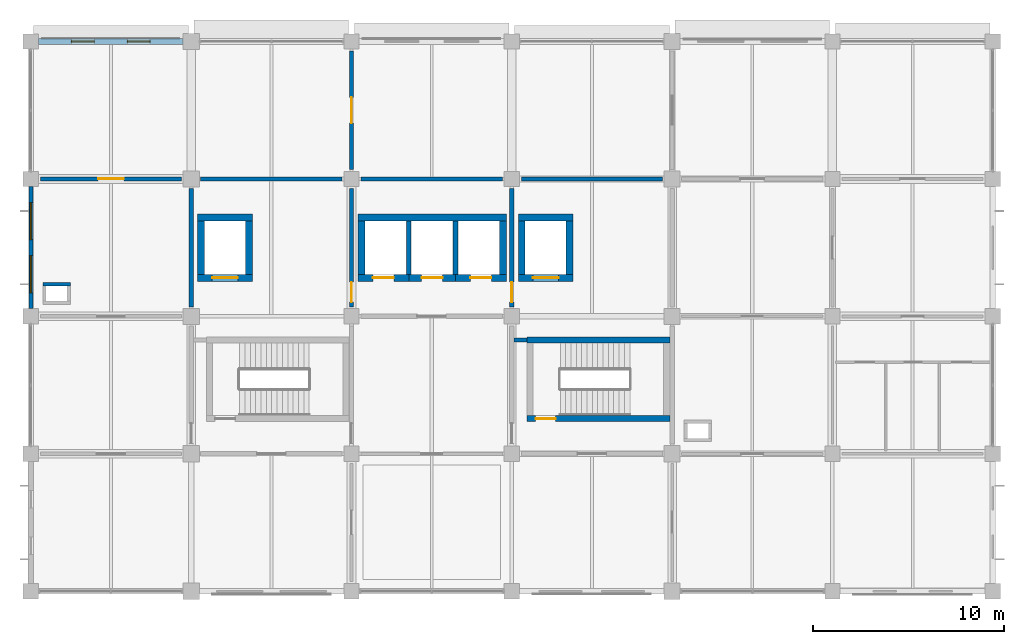
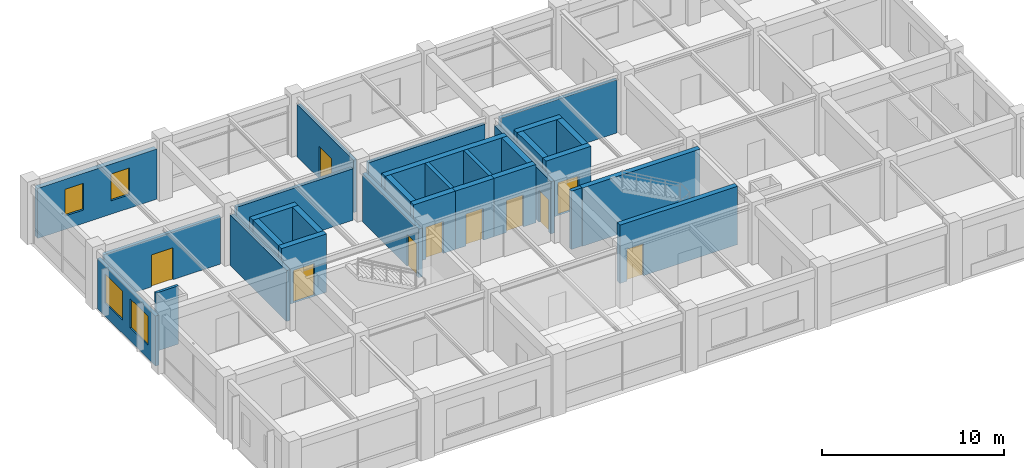
# One storey, part 9 of 13: 30 walls, 10 doors, 4 windows, 14 openings.
"""IFC4 building model written with IfcOpenShell, lengths in metres."""

import ifcopenshell
import ifcopenshell.guid

model = None  # the IFC model being written
_history = None  # IfcOwnerHistory: only IFC2X3 demands one
_inside = {}  # id of a spatial element -> (the spatial element, [elements in it])
_under = {}  # id of a project, library or spatial element -> (it, [spatial elements below it])
_declared = {}  # id of a project -> (the project, [libraries it declares])
_typed = {}  # id of a type object -> (the type object, [elements of that type])
_made_of = {}  # id of a material, layer set ... -> (it, [elements and type objects made of it])


def new_model(schema):
    """Start an empty IFC model of exactly this schema.

    Asked for "IFC4X3", IfcOpenShell would pick the latest addendum, in which some entities
    have other attributes; the version numbers below select the first issue.
    IFC2X3 requires an IfcOwnerHistory on every rooted entity: one is made here for all.
    """
    global model, _history
    if schema == "IFC4X3":
        model = ifcopenshell.file(schema_version=(4, 3, 0, 0))
    else:
        model = ifcopenshell.file(schema=schema)
    _inside.clear()
    _under.clear()
    _declared.clear()
    _typed.clear()
    _made_of.clear()
    _history = None
    if model.schema == "IFC2X3":
        org = make("IfcOrganization", Name="unknown")
        user = make(
            "IfcPersonAndOrganization",
            ThePerson=make("IfcPerson", FamilyName="unknown"),
            TheOrganization=org,
        )
        app = make(
            "IfcApplication",
            ApplicationDeveloper=org,
            Version="unknown",
            ApplicationFullName="unknown",
            ApplicationIdentifier="unknown",
        )
        _history = make(
            "IfcOwnerHistory",
            OwningUser=user,
            OwningApplication=app,
            ChangeAction="ADDED",
            CreationDate=0,
        )
    return model


def make(cls, **values):
    """One entity of the class cls with the attributes given. An attribute that is None is left unset."""
    return model.create_entity(
        cls, **{name: value for name, value in values.items() if value is not None}
    )


def rooted(cls, **values):
    """An entity with a GlobalId (a new one), such as an element, a storey or a relation."""
    return make(cls, GlobalId=ifcopenshell.guid.new(), OwnerHistory=_history, **values)


def si_unit(unit_type, name, prefix=None):
    """IfcSIUnit, for example si_unit("LENGTHUNIT", "METRE", prefix="MILLI")."""
    return make("IfcSIUnit", UnitType=unit_type, Prefix=prefix, Name=name)


def derived_unit(unit_type, elements):
    """IfcDerivedUnit: a product of units, each with its exponent."""
    return make(
        "IfcDerivedUnit",
        Elements=[
            make("IfcDerivedUnitElement", Unit=unit, Exponent=power)
            for unit, power in elements
        ],
        UnitType=unit_type,
    )


def assignment(units):
    """IfcUnitAssignment: the units of a project."""
    return None if units is None else make("IfcUnitAssignment", Units=units)


def point(xyz):
    """IfcCartesianPoint."""
    return None if xyz is None else make("IfcCartesianPoint", Coordinates=xyz)


def direction(xyz):
    """IfcDirection."""
    return None if xyz is None else make("IfcDirection", DirectionRatios=xyz)


def frame(location, z_axis=None, x_axis=None):
    """IfcAxis2Placement3D, a coordinate frame: its origin and axes. An axis left out is left unset."""
    return make(
        "IfcAxis2Placement3D",
        Location=point(location),
        Axis=direction(z_axis),
        RefDirection=direction(x_axis),
    )


def frame_2d(location, x_axis=None):
    """IfcAxis2Placement2D, a coordinate frame in the plane: its origin and x axis."""
    return make(
        "IfcAxis2Placement2D", Location=point(location), RefDirection=direction(x_axis)
    )


def origin():
    """The frame at (0, 0, 0) with its axes left unset."""
    return frame((0.0, 0.0, 0.0))


def place(relative_to, where):
    """IfcLocalPlacement: puts the frame where relative to a parent placement (None: the world)."""
    return make(
        "IfcLocalPlacement", PlacementRelTo=relative_to, RelativePlacement=where
    )


def context(
    kind, dimensions, precision=None, world=None, true_north=None, identifier=None
):
    """IfcGeometricRepresentationContext, for example the 3D "Model" context."""
    return make(
        "IfcGeometricRepresentationContext",
        ContextIdentifier=identifier,
        ContextType=kind,
        CoordinateSpaceDimension=dimensions,
        Precision=precision,
        WorldCoordinateSystem=world,
        TrueNorth=true_north,
    )


def subcontext(parent, identifier, kind, view, scale=None):
    """IfcGeometricRepresentationSubContext, for example "Body" below "Model"."""
    return make(
        "IfcGeometricRepresentationSubContext",
        ContextIdentifier=identifier,
        ContextType=kind,
        ParentContext=parent,
        TargetScale=scale,
        TargetView=view,
    )


def project(units=None, contexts=None):
    """IfcProject with its units and contexts."""
    return rooted(
        "IfcProject",
        Name="project",
        RepresentationContexts=contexts,
        UnitsInContext=assignment(units),
    )


def spatial(cls, under=None, at=None, **own):
    """A site, building, storey or space (cls), placed at a placement, below another one or the project."""
    s = rooted(cls, ObjectPlacement=at, **own)
    if under is not None:
        _under.setdefault(under.id(), (under, []))[1].append(s)
    return s


def profile(cls, at=None, kind="AREA", **sizes):
    """A parametric profile (cls). Its sizes go by their IFC names, for example OverallWidth=200.0."""
    return make(cls, ProfileType=kind, Position=at, **sizes)


def rectangle(**sizes):
    """IfcRectangleProfileDef."""
    return profile("IfcRectangleProfileDef", **sizes)


def extrude(swept, where, along, depth):
    """IfcExtrudedAreaSolid: the profile swept, set in the frame where, extruded along a direction by depth."""
    return make(
        "IfcExtrudedAreaSolid",
        SweptArea=swept,
        Position=where,
        ExtrudedDirection=direction(along),
        Depth=depth,
    )


def shape(context_of_items, identifier, shape_type, items):
    """IfcShapeRepresentation: the items that make up one representation, for example the "Body"."""
    return make(
        "IfcShapeRepresentation",
        ContextOfItems=context_of_items,
        RepresentationIdentifier=identifier,
        RepresentationType=shape_type,
        Items=items,
    )


def material(Name=None, Category=None):
    """IfcMaterial."""
    return make("IfcMaterial", Name=Name, Category=Category)


def layer(
    of_material, thickness, ventilated=None, Name=None, Category=None, Priority=None
):
    """IfcMaterialLayer: one layer of a wall or slab, of a material (None: an air gap)."""
    return make(
        "IfcMaterialLayer",
        Material=of_material,
        LayerThickness=thickness,
        IsVentilated=ventilated,
        Name=Name,
        Category=Category,
        Priority=Priority,
    )


def layer_set(layers, Name=None):
    """IfcMaterialLayerSet."""
    return make("IfcMaterialLayerSet", MaterialLayers=layers, LayerSetName=Name)


def made_of(thing, what):
    """Note that an element or type object is made of a material, layer set ...; save() writes the relation."""
    if what is not None:
        _made_of.setdefault(what.id(), (what, []))[1].append(thing)
    return thing


def type_object(cls, material=None, **own):
    """A type object (cls), such as IfcWallType, which elements share."""
    return made_of(rooted(cls, **own), material)


def element(
    cls,
    number,
    at=None,
    inside=None,
    cuts=None,
    type_object=None,
    material=None,
    context=None,
    identifier="Body",
    shape_type=None,
    held_by="IfcProductDefinitionShape",
    body=None,
    shapes=None,
    **own,
):
    """One element of the class cls, such as IfcWall. Its Tag is "e" and its number.

    at: its placement. inside: the storey or other place that contains it. cuts: it is an
    opening in that element (IfcRelVoidsElement). A single representation is given by context,
    identifier, shape_type and body (its items); several are given by shapes. held_by: the class
    of the entity that holds the representations. save() writes the other relations.
    """
    e = rooted(cls, Tag="e%d" % number, ObjectPlacement=at, **own)
    if body is not None:
        shapes = [shape(context, identifier, shape_type, body)]
    if shapes is not None:
        e.Representation = make(held_by, Representations=shapes)
    if inside is not None:
        _inside.setdefault(inside.id(), (inside, []))[1].append(e)
    if cuts is not None:
        rooted(
            "IfcRelVoidsElement", RelatingBuildingElement=cuts, RelatedOpeningElement=e
        )
    if type_object is not None:
        _typed.setdefault(type_object.id(), (type_object, []))[1].append(e)
    return made_of(e, material)


def fill(opening, filler):
    """IfcRelFillsElement: the door or window that sits in an opening."""
    return rooted(
        "IfcRelFillsElement",
        RelatingOpeningElement=opening,
        RelatedBuildingElement=filler,
    )


def aggregate(whole, parts):
    """IfcRelAggregates: a whole, such as a stair, and the parts it consists of."""
    return rooted("IfcRelAggregates", RelatingObject=whole, RelatedObjects=parts)


def save(model, path):
    """Write the relations noted so far, then the file.

    IfcRelAggregates (storeys below a building ...), IfcRelContainedInSpatialStructure (elements
    in a storey), IfcRelDefinesByType, IfcRelAssociatesMaterial and IfcRelDeclares: one each for
    every whole, place, type object, material and project.
    """
    for whole, parts in _under.values():
        aggregate(whole, parts)
    for where, things in _inside.values():
        rooted(
            "IfcRelContainedInSpatialStructure",
            RelatedElements=things,
            RelatingStructure=where,
        )
    for kind, things in _typed.values():
        rooted("IfcRelDefinesByType", RelatedObjects=things, RelatingType=kind)
    for what, things in _made_of.values():
        rooted("IfcRelAssociatesMaterial", RelatedObjects=things, RelatingMaterial=what)
    for by, libraries in _declared.values():
        rooted("IfcRelDeclares", RelatingContext=by, RelatedDefinitions=libraries)
    model.write(path)


model = new_model("IFC4")

# Units and contexts
model_context = context("Model", 3, precision=1e-05, world=origin(), true_north=direction((0.0, 1.0)))
body_context = subcontext(model_context, "Body", "Model", "MODEL_VIEW")
ifc_project = project(units=[si_unit("LENGTHUNIT", "METRE"), si_unit("AREAUNIT", "SQUARE_METRE"), si_unit("VOLUMEUNIT", "CUBIC_METRE"), si_unit("PLANEANGLEUNIT", "RADIAN"), si_unit("MASSUNIT", "GRAM", prefix="KILO"), derived_unit("THERMALTRANSMITTANCEUNIT", [(si_unit("MASSUNIT", "GRAM", prefix="KILO"), 1), (si_unit("TIMEUNIT", "SECOND"), -3), (si_unit("THERMODYNAMICTEMPERATUREUNIT", "KELVIN"), -1)])], contexts=[model_context])

# Site, building, storey
site_placement = place(None, origin())
site = spatial("IfcSite", under=ifc_project, at=site_placement, CompositionType="ELEMENT")
building_placement = place(site_placement, origin())
building = spatial("IfcBuilding", under=site, at=building_placement, Name="Veldstrom Oceanarium and Marine Research Institute", CompositionType="ELEMENT")
storey_placement = place(building_placement, frame((0.0, 0.0, 27.0)))
storey = spatial("IfcBuildingStorey", under=building, at=storey_placement, Name="L05", CompositionType="ELEMENT", Elevation=27.0)

# Wall, openings, windows
ifc_material_1 = material(Name="Masonry Cavity Wall", Category="masonry")
ifc_layer_1 = layer(ifc_material_1, 0.31005859375)
ifc_layer_set_1 = layer_set([ifc_layer_1], Name="ARC-WAL-EW1")
wall_type_1 = type_object("IfcWallType", Name="ARC-WAL-EW1", PredefinedType="SOLIDWALL", material=ifc_layer_set_1)
wall_1_placement = place(storey_placement, frame((67.60009765625, 72.0, 0.0), z_axis=(0.0, 0.0, 1.0), x_axis=(1.0, 0.0, 0.0)))
wall_1 = element("IfcWall", 1, at=wall_1_placement, inside=storey, type_object=wall_type_1, Name="Exterior Facade Wall EW1 L05-178", PredefinedType="SOLIDWALL", context=body_context, shape_type="SweptSolid", body=[
    extrude(rectangle(XDim=7.574951171875, YDim=0.31005859375, at=frame_2d((3.78759765625, 0.0))), origin(), (0.0, 0.0, 1.0), 3.364990234375),
])
opening_1_placement = place(wall_1_placement, frame((1.72509765625, 0.0, 0.89990234375)))
opening_1 = element("IfcOpeningElement", 2, at=opening_1_placement, cuts=wall_1, Name="Opening W05", PredefinedType="OPENING", context=body_context, shape_type="SweptSolid", body=[
    extrude(rectangle(XDim=1.199951171875, YDim=1.800048828125, at=frame_2d((0.60009765625, 0.89990234375))), frame((0.0, 0.1650390625, 0.0), z_axis=(0.0, -1.0, 0.0), x_axis=(1.0, 0.0, 0.0)), (0.0, 0.0, 1.0), 0.330078125),
])
opening_2_placement = place(wall_1_placement, frame((4.64990234375, 0.0, 0.89990234375)))
opening_2 = element("IfcOpeningElement", 3, at=opening_2_placement, cuts=wall_1, Name="Opening W05", PredefinedType="OPENING", context=body_context, shape_type="SweptSolid", body=[
    extrude(rectangle(XDim=1.199951171875, YDim=1.800048828125, at=frame_2d((0.60009765625, 0.89990234375))), frame((0.0, 0.1650390625, 0.0), z_axis=(0.0, -1.0, 0.0), x_axis=(1.0, 0.0, 0.0)), (0.0, 0.0, 1.0), 0.330078125),
])
ifc_material_2 = material(Name="Double Glazed Low-E IGU", Category="glass")
window_type_1 = type_object("IfcWindowType", Name="ARC-WIN-W05", PartitioningType="SINGLE_PANEL", PredefinedType="WINDOW", material=ifc_material_2)
window_1_placement = place(opening_1_placement, origin())
window_1 = element("IfcWindow", 4, at=window_1_placement, inside=storey, type_object=window_type_1, Name="Facade Window W05 L05-0133", OverallHeight=1.800048828125, OverallWidth=1.199951171875, PartitioningType="SINGLE_PANEL", PredefinedType="WINDOW", context=body_context, shape_type="SweptSolid", body=[
    extrude(rectangle(XDim=1.199951171875, YDim=1.800048828125, at=frame_2d((0.60009765625, 0.89990234375))), frame((0.0, 0.030029296875, 0.0), z_axis=(0.0, -1.0, 0.0), x_axis=(1.0, 0.0, 0.0)), (0.0, 0.0, 1.0), 0.06005859375),
])
fill(opening_1, window_1)
window_2_placement = place(opening_2_placement, origin())
window_2 = element("IfcWindow", 5, at=window_2_placement, inside=storey, type_object=window_type_1, Name="Facade Window W05 L05-0134", OverallHeight=1.800048828125, OverallWidth=1.199951171875, PartitioningType="SINGLE_PANEL", PredefinedType="WINDOW", context=body_context, shape_type="SweptSolid", body=[
    extrude(rectangle(XDim=1.199951171875, YDim=1.800048828125, at=frame_2d((0.60009765625, 0.89990234375))), frame((0.0, 0.030029296875, 0.0), z_axis=(0.0, -1.0, 0.0), x_axis=(1.0, 0.0, 0.0)), (0.0, 0.0, 1.0), 0.06005859375),
])
fill(opening_2, window_2)

ifc_material_3 = material(Name="Masonry Cavity Wall", Category="masonry")
ifc_layer_2 = layer(ifc_material_3, 0.215087890625)
ifc_layer_set_2 = layer_set([ifc_layer_2], Name="ARC-WAL-EW6")
wall_type_2 = type_object("IfcWallType", Name="ARC-WAL-EW6", PredefinedType="SOLIDWALL", material=ifc_layer_set_2)
wall_2_placement = place(storey_placement, frame((67.199951171875, 58.0, 0.0), z_axis=(0.0, 0.0, 1.0), x_axis=(0.0, 1.0, 0.0)))
wall_2 = element("IfcWall", 6, at=wall_2_placement, inside=storey, type_object=wall_type_2, Name="Exterior Facade Wall EW6 L05-177", PredefinedType="SOLIDWALL", context=body_context, shape_type="SweptSolid", body=[
    extrude(rectangle(XDim=6.39990234375, YDim=0.215087890625, at=frame_2d((3.199951171875, 0.0))), origin(), (0.0, 0.0, 1.0), 3.364990234375),
])
opening_3_placement = place(wall_2_placement, frame((0.833251953125, 0.0, 0.89990234375)))
opening_3 = element("IfcOpeningElement", 7, at=opening_3_placement, cuts=wall_2, Name="Opening W22", PredefinedType="OPENING", context=body_context, shape_type="SweptSolid", body=[
    extrude(rectangle(XDim=1.949951171875, YDim=1.949951171875, at=frame_2d((0.97509765625, 0.97509765625))), frame((0.0, 0.117431640625, 0.0), z_axis=(0.0, -1.0, 0.0), x_axis=(1.0, 0.0, 0.0)), (0.0, 0.0, 1.0), 0.235107421875),
])
opening_4_placement = place(wall_2_placement, frame((3.61669921875, 0.0, 0.89990234375)))
opening_4 = element("IfcOpeningElement", 8, at=opening_4_placement, cuts=wall_2, Name="Opening W22", PredefinedType="OPENING", context=body_context, shape_type="SweptSolid", body=[
    extrude(rectangle(XDim=1.949951171875, YDim=1.949951171875, at=frame_2d((0.97509765625, 0.97509765625))), frame((0.0, 0.117431640625, 0.0), z_axis=(0.0, -1.0, 0.0), x_axis=(1.0, 0.0, 0.0)), (0.0, 0.0, 1.0), 0.235107421875),
])
ifc_material_4 = material(Name="Double Glazed Low-E IGU", Category="glass")
window_type_2 = type_object("IfcWindowType", Name="ARC-WIN-W22", PartitioningType="SINGLE_PANEL", PredefinedType="WINDOW", material=ifc_material_4)
window_3_placement = place(opening_3_placement, origin())
window_3 = element("IfcWindow", 9, at=window_3_placement, inside=storey, type_object=window_type_2, Name="Facade Window W22 L05-0131", OverallHeight=1.949951171875, OverallWidth=1.949951171875, PartitioningType="SINGLE_PANEL", PredefinedType="WINDOW", context=body_context, shape_type="SweptSolid", body=[
    extrude(rectangle(XDim=1.949951171875, YDim=1.949951171875, at=frame_2d((0.97509765625, 0.97509765625))), frame((0.0, 0.030029296875, 0.0), z_axis=(0.0, -1.0, 0.0), x_axis=(1.0, 0.0, 0.0)), (0.0, 0.0, 1.0), 0.06005859375),
])
fill(opening_3, window_3)
window_4_placement = place(opening_4_placement, origin())
window_4 = element("IfcWindow", 10, at=window_4_placement, inside=storey, type_object=window_type_2, Name="Facade Window W22 L05-0132", OverallHeight=1.949951171875, OverallWidth=1.949951171875, PartitioningType="SINGLE_PANEL", PredefinedType="WINDOW", context=body_context, shape_type="SweptSolid", body=[
    extrude(rectangle(XDim=1.949951171875, YDim=1.949951171875, at=frame_2d((0.97509765625, 0.97509765625))), frame((0.0, 0.030029296875, 0.0), z_axis=(0.0, -1.0, 0.0), x_axis=(1.0, 0.0, 0.0)), (0.0, 0.0, 1.0), 0.06005859375),
])
fill(opening_4, window_4)

# Wall
ifc_material_5 = material(Name="Masonry Fire Compartment Wall", Category="masonry")
ifc_layer_3 = layer(ifc_material_5, 0.22998046875)
ifc_layer_set_3 = layer_set([ifc_layer_3], Name="ARC-WAL-PT1")
wall_type_3 = type_object("IfcWallType", Name="ARC-WAL-PT1", PredefinedType="PARTITIONING", material=ifc_layer_set_3)
wall_3_placement = place(storey_placement, frame((75.60009765625, 58.10009765625, 0.0), z_axis=(0.0, 0.0, 1.0), x_axis=(0.0, 1.0, 0.0)))
element("IfcWall", 11, at=wall_3_placement, inside=storey, type_object=wall_type_3, Name="Interior Partition PT1 L05-1444", PredefinedType="PARTITIONING", context=body_context, shape_type="SweptSolid", body=[
    extrude(rectangle(XDim=6.199951171875, YDim=0.22998046875, at=frame_2d((3.10009765625, 0.0))), origin(), (0.0, 0.0, 1.0), 3.4150390625),
])

# Wall, opening, door
wall_4_placement = place(storey_placement, frame((84.0, 58.10009765625, 0.0), z_axis=(0.0, 0.0, 1.0), x_axis=(0.0, 1.0, 0.0)))
wall_4 = element("IfcWall", 12, at=wall_4_placement, inside=storey, type_object=wall_type_3, Name="Interior Partition PT1 L05-1450", PredefinedType="PARTITIONING", context=body_context, shape_type="SweptSolid", body=[
    extrude(rectangle(XDim=6.199951171875, YDim=0.22998046875, at=frame_2d((3.10009765625, 0.0))), origin(), (0.0, 0.0, 1.0), 3.264892578125),
])
opening_5_placement = place(wall_4_placement, frame((0.25, 0.0, 0.0)))
opening_5 = element("IfcOpeningElement", 13, at=opening_5_placement, cuts=wall_4, Name="Opening D-L05-862", PredefinedType="OPENING", context=body_context, shape_type="SweptSolid", body=[
    extrude(rectangle(XDim=1.050048828125, YDim=2.14990234375, at=frame_2d((0.52490234375, 1.074951171875))), frame((0.0, 0.125, 0.0), z_axis=(0.0, -1.0, 0.0), x_axis=(1.0, 0.0, 0.0)), (0.0, 0.0, 1.0), 0.25),
])
ifc_material_6 = material(Name="Painted Steel Fire Door", Category="steel")
door_type_1 = type_object("IfcDoorType", Name="ARC-DOR-SD1", OperationType="SINGLE_SWING_LEFT", PredefinedType="DOOR", material=ifc_material_6)
door_1_placement = place(opening_5_placement, frame((1.050048828125, 0.0, 0.0), z_axis=(0.0, 0.0, 1.0), x_axis=(-1.0, 0.0, 0.0)))
door_1 = element("IfcDoor", 14, at=door_1_placement, inside=storey, type_object=door_type_1, Name="Interior Door D-L05-862", OperationType="SINGLE_SWING_RIGHT", OverallHeight=2.14990234375, OverallWidth=1.050048828125, PredefinedType="DOOR", context=body_context, shape_type="SweptSolid", body=[
    extrude(rectangle(XDim=1.050048828125, YDim=2.14990234375, at=frame_2d((0.52490234375, 1.074951171875))), frame((0.0, 0.02490234375, 0.0), z_axis=(0.0, -1.0, 0.0), x_axis=(1.0, 0.0, 0.0)), (0.0, 0.0, 1.0), 0.050048828125),
])
fill(opening_5, door_1)

# Wall
wall_5_placement = place(storey_placement, frame((76.10009765625, 64.800048828125, 0.0), z_axis=(0.0, 0.0, 1.0), x_axis=(1.0, 0.0, 0.0)))
element("IfcWall", 15, at=wall_5_placement, inside=storey, type_object=wall_type_3, Name="Interior Partition PT1 L05-1451", PredefinedType="PARTITIONING", context=body_context, shape_type="SweptSolid", body=[
    extrude(rectangle(XDim=7.39990234375, YDim=0.22998046875, at=frame_2d((3.699951171875, 0.0))), origin(), (0.0, 0.0, 1.0), 3.465087890625),
])

# Wall, opening, door
wall_6_placement = place(storey_placement, frame((92.39990234375, 58.10009765625, 0.0), z_axis=(0.0, 0.0, 1.0), x_axis=(0.0, 1.0, 0.0)))
wall_6 = element("IfcWall", 16, at=wall_6_placement, inside=storey, type_object=wall_type_3, Name="Interior Partition PT1 L05-1456", PredefinedType="PARTITIONING", context=body_context, shape_type="SweptSolid", body=[
    extrude(rectangle(XDim=6.199951171875, YDim=0.22998046875, at=frame_2d((3.10009765625, 0.0))), origin(), (0.0, 0.0, 1.0), 3.514892578125),
])
opening_6_placement = place(wall_6_placement, frame((0.25, 0.0, 0.0)))
opening_6 = element("IfcOpeningElement", 17, at=opening_6_placement, cuts=wall_6, Name="Opening D-L05-867", PredefinedType="OPENING", context=body_context, shape_type="SweptSolid", body=[
    extrude(rectangle(XDim=1.050048828125, YDim=2.14990234375, at=frame_2d((0.52490234375, 1.074951171875))), frame((0.0, 0.125, 0.0), z_axis=(0.0, -1.0, 0.0), x_axis=(1.0, 0.0, 0.0)), (0.0, 0.0, 1.0), 0.25),
])
door_2_placement = place(opening_6_placement, origin())
door_2 = element("IfcDoor", 18, at=door_2_placement, inside=storey, type_object=door_type_1, Name="Interior Door D-L05-867", OperationType="SINGLE_SWING_LEFT", OverallHeight=2.14990234375, OverallWidth=1.050048828125, PredefinedType="DOOR", context=body_context, shape_type="SweptSolid", body=[
    extrude(rectangle(XDim=1.050048828125, YDim=2.14990234375, at=frame_2d((0.52490234375, 1.074951171875))), frame((0.0, 0.02490234375, 0.0), z_axis=(0.0, -1.0, 0.0), x_axis=(1.0, 0.0, 0.0)), (0.0, 0.0, 1.0), 0.050048828125),
])
fill(opening_6, door_2)

# Walls
wall_7_placement = place(storey_placement, frame((84.5, 64.800048828125, 0.0), z_axis=(0.0, 0.0, 1.0), x_axis=(1.0, 0.0, 0.0)))
element("IfcWall", 19, at=wall_7_placement, inside=storey, type_object=wall_type_3, Name="Interior Partition PT1 L05-1457", PredefinedType="PARTITIONING", context=body_context, shape_type="SweptSolid", body=[
    extrude(rectangle(XDim=7.39990234375, YDim=0.22998046875, at=frame_2d((3.699951171875, 0.0))), origin(), (0.0, 0.0, 1.0), 3.514892578125),
])
wall_8_placement = place(storey_placement, frame((92.52001953125, 56.360107421875, 0.0), z_axis=(0.0, 0.0, 1.0), x_axis=(1.0, 0.0, 0.0)))
element("IfcWall", 20, at=wall_8_placement, inside=storey, type_object=wall_type_3, Name="Interior Partition PT1 L05-1461", PredefinedType="PARTITIONING", context=body_context, shape_type="SweptSolid", body=[
    extrude(rectangle(XDim=0.679931640625, YDim=0.22998046875, at=frame_2d((0.33984375, 0.0))), origin(), (0.0, 0.0, 1.0), 3.919921875),
])
wall_9_placement = place(storey_placement, frame((92.89990234375, 64.800048828125, 0.0), z_axis=(0.0, 0.0, 1.0), x_axis=(1.0, 0.0, 0.0)))
element("IfcWall", 21, at=wall_9_placement, inside=storey, type_object=wall_type_3, Name="Interior Partition PT1 L05-1463", PredefinedType="PARTITIONING", context=body_context, shape_type="SweptSolid", body=[
    extrude(rectangle(XDim=7.400146484375, YDim=0.22998046875, at=frame_2d((3.7001953125, 0.0))), origin(), (0.0, 0.0, 1.0), 3.56494140625),
])

# Wall, opening, door
ifc_material_7 = material(Name="Masonry Acoustic Lab Partition", Category="masonry")
ifc_layer_4 = layer(ifc_material_7, 0.205078125)
ifc_layer_set_4 = layer_set([ifc_layer_4], Name="ARC-WAL-PT2")
wall_type_4 = type_object("IfcWallType", Name="ARC-WAL-PT2", PredefinedType="PARTITIONING", material=ifc_layer_set_4)
wall_10_placement = place(storey_placement, frame((67.699951171875, 64.800048828125, 0.0), z_axis=(0.0, 0.0, 1.0), x_axis=(1.0, 0.0, 0.0)))
wall_10 = element("IfcWall", 22, at=wall_10_placement, inside=storey, type_object=wall_type_4, Name="Interior Partition PT2 L05-1445", PredefinedType="PARTITIONING", context=body_context, shape_type="SweptSolid", body=[
    extrude(rectangle(XDim=7.400146484375, YDim=0.205078125, at=frame_2d((3.7001953125, 0.0))), origin(), (0.0, 0.0, 1.0), 3.215087890625),
])
opening_7_placement = place(wall_10_placement, frame((3.02490234375, 0.0, 0.0)))
opening_7 = element("IfcOpeningElement", 23, at=opening_7_placement, cuts=wall_10, Name="Opening D-L05-858", PredefinedType="OPENING", context=body_context, shape_type="SweptSolid", body=[
    extrude(rectangle(XDim=1.35009765625, YDim=2.14990234375, at=frame_2d((0.675048828125, 1.074951171875))), frame((0.0, 0.112548828125, 0.0), z_axis=(0.0, -1.0, 0.0), x_axis=(1.0, 0.0, 0.0)), (0.0, 0.0, 1.0), 0.22509765625),
])
ifc_material_8 = material(Name="Cleanroom Airlock Door", Category="steel")
door_type_2 = type_object("IfcDoorType", Name="ARC-DOR-ID15", OperationType="SINGLE_SWING_LEFT", PredefinedType="DOOR", material=ifc_material_8)
door_3_placement = place(opening_7_placement, frame((1.35009765625, 0.0, 0.0), z_axis=(0.0, 0.0, 1.0), x_axis=(-1.0, 0.0, 0.0)))
door_3 = element("IfcDoor", 24, at=door_3_placement, inside=storey, type_object=door_type_2, Name="Interior Door D-L05-858", OperationType="SINGLE_SWING_LEFT", OverallHeight=2.14990234375, OverallWidth=1.35009765625, PredefinedType="DOOR", context=body_context, shape_type="SweptSolid", body=[
    extrude(rectangle(XDim=1.35009765625, YDim=2.14990234375, at=frame_2d((0.675048828125, 1.074951171875))), frame((0.0, 0.02490234375, 0.0), z_axis=(0.0, -1.0, 0.0), x_axis=(1.0, 0.0, 0.0)), (0.0, 0.0, 1.0), 0.050048828125),
])
fill(opening_7, door_3)

wall_11_placement = place(storey_placement, frame((84.0, 65.300048828125, 0.0), z_axis=(0.0, 0.0, 1.0), x_axis=(0.0, 1.0, 0.0)))
wall_11 = element("IfcWall", 25, at=wall_11_placement, inside=storey, type_object=wall_type_4, Name="Interior Partition PT2 L05-1452", PredefinedType="PARTITIONING", context=body_context, shape_type="SweptSolid", body=[
    extrude(rectangle(XDim=6.199951171875, YDim=0.205078125, at=frame_2d((3.10009765625, 0.0))), origin(), (0.0, 0.0, 1.0), 3.514892578125),
])
opening_8_placement = place(wall_11_placement, frame((2.425048828125, 0.0, 0.0)))
opening_8 = element("IfcOpeningElement", 26, at=opening_8_placement, cuts=wall_11, Name="Opening D-L05-863", PredefinedType="OPENING", context=body_context, shape_type="SweptSolid", body=[
    extrude(rectangle(XDim=1.35009765625, YDim=2.14990234375, at=frame_2d((0.675048828125, 1.074951171875))), frame((0.0, 0.112548828125, 0.0), z_axis=(0.0, -1.0, 0.0), x_axis=(1.0, 0.0, 0.0)), (0.0, 0.0, 1.0), 0.22509765625),
])
door_4_placement = place(opening_8_placement, origin())
door_4 = element("IfcDoor", 27, at=door_4_placement, inside=storey, type_object=door_type_2, Name="Interior Door D-L05-863", OperationType="SINGLE_SWING_RIGHT", OverallHeight=2.14990234375, OverallWidth=1.35009765625, PredefinedType="DOOR", context=body_context, shape_type="SweptSolid", body=[
    extrude(rectangle(XDim=1.35009765625, YDim=2.14990234375, at=frame_2d((0.675048828125, 1.074951171875))), frame((0.0, 0.02490234375, 0.0), z_axis=(0.0, -1.0, 0.0), x_axis=(1.0, 0.0, 0.0)), (0.0, 0.0, 1.0), 0.050048828125),
])
fill(opening_8, door_4)

# Walls
ifc_material_9 = material(Name="Service Riser Fire Shaft Wall", Category="masonry")
ifc_layer_5 = layer(ifc_material_9, 0.1650390625)
ifc_layer_set_5 = layer_set([ifc_layer_5], Name="ARC-WAL-PT9")
wall_type_5 = type_object("IfcWallType", Name="ARC-WAL-PT9", PredefinedType="PARTITIONING", material=ifc_layer_set_5)
wall_12_placement = place(storey_placement, frame((67.8349609375, 59.282470703125, 0.0), z_axis=(0.0, 0.0, 1.0), x_axis=(1.0, 0.0, 0.0)))
element("IfcWall", 28, at=wall_12_placement, inside=storey, type_object=wall_type_5, Name="Service Riser Fire Shaft Wall L05-CW-N", PredefinedType="PARTITIONING", context=body_context, shape_type="SweptSolid", body=[
    extrude(rectangle(XDim=1.429931640625, YDim=0.1650390625, at=frame_2d((0.71484375, 0.0))), origin(), (0.0, 0.0, 1.0), 3.919921875),
])
ifc_material_10 = material(Name="Concrete C40/50", Category="concrete")
ifc_layer_6 = layer(ifc_material_10, 0.360107421875)
ifc_layer_set_6 = layer_set([ifc_layer_6], Name="STR-WAL-WC2")
wall_type_6 = type_object("IfcWallType", Name="STR-WAL-WC2", PredefinedType="SHEAR", material=ifc_layer_set_6)
wall_13_placement = place(storey_placement, frame((75.93994140625, 62.780029296875, 0.0), z_axis=(0.0, 0.0, 1.0), x_axis=(1.0, 0.0, 0.0)))
element("IfcWall", 29, at=wall_13_placement, inside=storey, type_object=wall_type_6, Name="Lift Shaft Shear Wall N L05 9/8", PredefinedType="SHEAR", context=body_context, shape_type="SweptSolid", body=[
    extrude(rectangle(XDim=2.8701171875, YDim=0.360107421875, at=frame_2d((1.43505859375, 0.0))), origin(), (0.0, 0.0, 1.0), 3.919921875),
])

# Wall, opening, door
wall_14_placement = place(storey_placement, frame((75.93994140625, 59.6201171875, 0.0), z_axis=(0.0, 0.0, 1.0), x_axis=(1.0, 0.0, 0.0)))
wall_14 = element("IfcWall", 30, at=wall_14_placement, inside=storey, type_object=wall_type_6, Name="Lift Shaft Front Shear Wall LF1 L05", PredefinedType="SHEAR", context=body_context, shape_type="SweptSolid", body=[
    extrude(rectangle(XDim=2.8701171875, YDim=0.360107421875, at=frame_2d((1.43505859375, 0.0))), origin(), (0.0, 0.0, 1.0), 3.919921875),
])
opening_9_placement = place(wall_14_placement, frame((0.760009765625, 0.0, 0.0)))
opening_9 = element("IfcOpeningElement", 31, at=opening_9_placement, cuts=wall_14, Name="Opening LD-LF1-L05", PredefinedType="OPENING", context=body_context, shape_type="SweptSolid", body=[
    extrude(rectangle(XDim=1.35009765625, YDim=2.199951171875, at=frame_2d((0.675048828125, 1.10009765625))), frame((0.0, 0.18994140625, 0.0), z_axis=(0.0, -1.0, 0.0), x_axis=(1.0, 0.0, 0.0)), (0.0, 0.0, 1.0), 0.380126953125),
])
ifc_material_11 = material(Name="Stainless Steel Lift Landing Door", Category="steel")
door_type_3 = type_object("IfcDoorType", Name="ARC-DOR-LD3", OperationType="DOUBLE_DOOR_SLIDING", PredefinedType="DOOR", material=ifc_material_11)
door_5_placement = place(opening_9_placement, origin())
door_5 = element("IfcDoor", 32, at=door_5_placement, inside=storey, type_object=door_type_3, Name="Lift Landing Door LD-LF1-L05", OperationType="DOUBLE_DOOR_SLIDING", OverallHeight=2.199951171875, OverallWidth=1.35009765625, PredefinedType="DOOR", context=body_context, shape_type="SweptSolid", body=[
    extrude(rectangle(XDim=1.35009765625, YDim=2.199951171875, at=frame_2d((0.675048828125, 1.10009765625))), frame((0.0, 0.02490234375, 0.0), z_axis=(0.0, -1.0, 0.0), x_axis=(1.0, 0.0, 0.0)), (0.0, 0.0, 1.0), 0.050048828125),
])
fill(opening_9, door_5)

# Walls
for number, where, z_axis, x_axis, name in (
    (33, (76.1201171875, 59.800048828125, 0.0), (0.0, 0.0, 1.0), (0.0, 1.0, 0.0), "Lift Shaft Shear Wall W L05 9/8"),
    (34, (78.6298828125, 59.800048828125, 0.0), (0.0, 0.0, 1.0), (0.0, 1.0, 0.0), "Lift Shaft Shear Wall E L05 9/8"),
):
    element("IfcWall", number, at=place(storey_placement, frame(where, z_axis=z_axis, x_axis=x_axis)), inside=storey, type_object=wall_type_6, Name=name, PredefinedType="SHEAR", context=body_context, shape_type="SweptSolid", body=[
        extrude(rectangle(XDim=2.800048828125, YDim=0.360107421875, at=frame_2d((1.39990234375, 0.0))), origin(), (0.0, 0.0, 1.0), 3.919921875),
    ])
wall_15_placement = place(storey_placement, frame((84.340087890625, 62.780029296875, 0.0), z_axis=(0.0, 0.0, 1.0), x_axis=(1.0, 0.0, 0.0)))
element("IfcWall", 35, at=wall_15_placement, inside=storey, type_object=wall_type_6, Name="Lift Shaft Shear Wall N L05 10/8", PredefinedType="SHEAR", context=body_context, shape_type="SweptSolid", body=[
    extrude(rectangle(XDim=7.77001953125, YDim=0.360107421875, at=frame_2d((3.885009765625, 0.0))), origin(), (0.0, 0.0, 1.0), 3.919921875),
])

# Wall, opening, door
wall_16_placement = place(storey_placement, frame((84.340087890625, 59.6201171875, 0.0), z_axis=(0.0, 0.0, 1.0), x_axis=(1.0, 0.0, 0.0)))
wall_16 = element("IfcWall", 36, at=wall_16_placement, inside=storey, type_object=wall_type_6, Name="Lift Shaft Front Shear Wall LP1 L05", PredefinedType="SHEAR", context=body_context, shape_type="SweptSolid", body=[
    extrude(rectangle(XDim=2.659912109375, YDim=0.360107421875, at=frame_2d((1.330078125, 0.0))), origin(), (0.0, 0.0, 1.0), 3.919921875),
])
opening_10_placement = place(wall_16_placement, frame((0.780029296875, 0.0, 0.0)))
opening_10 = element("IfcOpeningElement", 37, at=opening_10_placement, cuts=wall_16, Name="Opening LD-LP1-L05", PredefinedType="OPENING", context=body_context, shape_type="SweptSolid", body=[
    extrude(rectangle(XDim=1.10009765625, YDim=2.14990234375, at=frame_2d((0.550048828125, 1.074951171875))), frame((0.0, 0.18994140625, 0.0), z_axis=(0.0, -1.0, 0.0), x_axis=(1.0, 0.0, 0.0)), (0.0, 0.0, 1.0), 0.380126953125),
])
ifc_material_12 = material(Name="Stainless Steel Lift Landing Door", Category="steel")
door_type_4 = type_object("IfcDoorType", Name="ARC-DOR-LD1", OperationType="DOUBLE_DOOR_SLIDING", PredefinedType="DOOR", material=ifc_material_12)
door_6_placement = place(opening_10_placement, origin())
door_6 = element("IfcDoor", 38, at=door_6_placement, inside=storey, type_object=door_type_4, Name="Lift Landing Door LD-LP1-L05", OperationType="DOUBLE_DOOR_SLIDING", OverallHeight=2.14990234375, OverallWidth=1.10009765625, PredefinedType="DOOR", context=body_context, shape_type="SweptSolid", body=[
    extrude(rectangle(XDim=1.10009765625, YDim=2.14990234375, at=frame_2d((0.550048828125, 1.074951171875))), frame((0.0, 0.02490234375, 0.0), z_axis=(0.0, -1.0, 0.0), x_axis=(1.0, 0.0, 0.0)), (0.0, 0.0, 1.0), 0.050048828125),
])
fill(opening_10, door_6)

wall_17_placement = place(storey_placement, frame((87.0, 59.6201171875, 0.0), z_axis=(0.0, 0.0, 1.0), x_axis=(1.0, 0.0, 0.0)))
wall_17 = element("IfcWall", 39, at=wall_17_placement, inside=storey, type_object=wall_type_6, Name="Lift Shaft Front Shear Wall LP2 L05", PredefinedType="SHEAR", context=body_context, shape_type="SweptSolid", body=[
    extrude(rectangle(XDim=2.449951171875, YDim=0.360107421875, at=frame_2d((1.22509765625, 0.0))), origin(), (0.0, 0.0, 1.0), 3.919921875),
])
opening_11_placement = place(wall_17_placement, frame((0.675048828125, 0.0, 0.0)))
opening_11 = element("IfcOpeningElement", 40, at=opening_11_placement, cuts=wall_17, Name="Opening LD-LP2-L05", PredefinedType="OPENING", context=body_context, shape_type="SweptSolid", body=[
    extrude(rectangle(XDim=1.10009765625, YDim=2.14990234375, at=frame_2d((0.550048828125, 1.074951171875))), frame((0.0, 0.18994140625, 0.0), z_axis=(0.0, -1.0, 0.0), x_axis=(1.0, 0.0, 0.0)), (0.0, 0.0, 1.0), 0.380126953125),
])
door_7_placement = place(opening_11_placement, origin())
door_7 = element("IfcDoor", 41, at=door_7_placement, inside=storey, type_object=door_type_4, Name="Lift Landing Door LD-LP2-L05", OperationType="DOUBLE_DOOR_SLIDING", OverallHeight=2.14990234375, OverallWidth=1.10009765625, PredefinedType="DOOR", context=body_context, shape_type="SweptSolid", body=[
    extrude(rectangle(XDim=1.10009765625, YDim=2.14990234375, at=frame_2d((0.550048828125, 1.074951171875))), frame((0.0, 0.02490234375, 0.0), z_axis=(0.0, -1.0, 0.0), x_axis=(1.0, 0.0, 0.0)), (0.0, 0.0, 1.0), 0.050048828125),
])
fill(opening_11, door_7)

wall_18_placement = place(storey_placement, frame((89.449951171875, 59.6201171875, 0.0), z_axis=(0.0, 0.0, 1.0), x_axis=(1.0, 0.0, 0.0)))
wall_18 = element("IfcWall", 42, at=wall_18_placement, inside=storey, type_object=wall_type_6, Name="Lift Shaft Front Shear Wall LP3 L05", PredefinedType="SHEAR", context=body_context, shape_type="SweptSolid", body=[
    extrude(rectangle(XDim=2.66015625, YDim=0.360107421875, at=frame_2d((1.330078125, 0.0))), origin(), (0.0, 0.0, 1.0), 3.919921875),
])
opening_12_placement = place(wall_18_placement, frame((0.780029296875, 0.0, 0.0)))
opening_12 = element("IfcOpeningElement", 43, at=opening_12_placement, cuts=wall_18, Name="Opening LD-LP3-L05", PredefinedType="OPENING", context=body_context, shape_type="SweptSolid", body=[
    extrude(rectangle(XDim=1.10009765625, YDim=2.14990234375, at=frame_2d((0.550048828125, 1.074951171875))), frame((0.0, 0.18994140625, 0.0), z_axis=(0.0, -1.0, 0.0), x_axis=(1.0, 0.0, 0.0)), (0.0, 0.0, 1.0), 0.380126953125),
])
door_8_placement = place(opening_12_placement, origin())
door_8 = element("IfcDoor", 44, at=door_8_placement, inside=storey, type_object=door_type_4, Name="Lift Landing Door LD-LP3-L05", OperationType="DOUBLE_DOOR_SLIDING", OverallHeight=2.14990234375, OverallWidth=1.10009765625, PredefinedType="DOOR", context=body_context, shape_type="SweptSolid", body=[
    extrude(rectangle(XDim=1.10009765625, YDim=2.14990234375, at=frame_2d((0.550048828125, 1.074951171875))), frame((0.0, 0.02490234375, 0.0), z_axis=(0.0, -1.0, 0.0), x_axis=(1.0, 0.0, 0.0)), (0.0, 0.0, 1.0), 0.050048828125),
])
fill(opening_12, door_8)

# Walls
for number, where, z_axis, x_axis, name in (
    (45, (84.52001953125, 59.800048828125, 0.0), (0.0, 0.0, 1.0), (0.0, 1.0, 0.0), "Lift Shaft Shear Wall W L05 10/8"),
    (46, (91.929931640625, 59.800048828125, 0.0), (0.0, 0.0, 1.0), (0.0, 1.0, 0.0), "Lift Shaft Shear Wall E L05 10/8"),
):
    element("IfcWall", number, at=place(storey_placement, frame(where, z_axis=z_axis, x_axis=x_axis)), inside=storey, type_object=wall_type_6, Name=name, PredefinedType="SHEAR", context=body_context, shape_type="SweptSolid", body=[
        extrude(rectangle(XDim=2.800048828125, YDim=0.360107421875, at=frame_2d((1.39990234375, 0.0))), origin(), (0.0, 0.0, 1.0), 3.919921875),
    ])
wall_19_placement = place(storey_placement, frame((92.739990234375, 62.780029296875, 0.0), z_axis=(0.0, 0.0, 1.0), x_axis=(1.0, 0.0, 0.0)))
element("IfcWall", 47, at=wall_19_placement, inside=storey, type_object=wall_type_6, Name="Lift Shaft Shear Wall N L05 11/8", PredefinedType="SHEAR", context=body_context, shape_type="SweptSolid", body=[
    extrude(rectangle(XDim=2.8701171875, YDim=0.360107421875, at=frame_2d((1.43505859375, 0.0))), origin(), (0.0, 0.0, 1.0), 3.919921875),
])

# Wall, opening, door
wall_20_placement = place(storey_placement, frame((92.739990234375, 59.6201171875, 0.0), z_axis=(0.0, 0.0, 1.0), x_axis=(1.0, 0.0, 0.0)))
wall_20 = element("IfcWall", 48, at=wall_20_placement, inside=storey, type_object=wall_type_6, Name="Lift Shaft Front Shear Wall LF2 L05", PredefinedType="SHEAR", context=body_context, shape_type="SweptSolid", body=[
    extrude(rectangle(XDim=2.8701171875, YDim=0.360107421875, at=frame_2d((1.43505859375, 0.0))), origin(), (0.0, 0.0, 1.0), 3.919921875),
])
opening_13_placement = place(wall_20_placement, frame((0.760009765625, 0.0, 0.0)))
opening_13 = element("IfcOpeningElement", 49, at=opening_13_placement, cuts=wall_20, Name="Opening LD-LF2-L05", PredefinedType="OPENING", context=body_context, shape_type="SweptSolid", body=[
    extrude(rectangle(XDim=1.35009765625, YDim=2.199951171875, at=frame_2d((0.675048828125, 1.10009765625))), frame((0.0, 0.18994140625, 0.0), z_axis=(0.0, -1.0, 0.0), x_axis=(1.0, 0.0, 0.0)), (0.0, 0.0, 1.0), 0.380126953125),
])
door_9_placement = place(opening_13_placement, origin())
door_9 = element("IfcDoor", 50, at=door_9_placement, inside=storey, type_object=door_type_3, Name="Lift Landing Door LD-LF2-L05", OperationType="DOUBLE_DOOR_SLIDING", OverallHeight=2.199951171875, OverallWidth=1.35009765625, PredefinedType="DOOR", context=body_context, shape_type="SweptSolid", body=[
    extrude(rectangle(XDim=1.35009765625, YDim=2.199951171875, at=frame_2d((0.675048828125, 1.10009765625))), frame((0.0, 0.02490234375, 0.0), z_axis=(0.0, -1.0, 0.0), x_axis=(1.0, 0.0, 0.0)), (0.0, 0.0, 1.0), 0.050048828125),
])
fill(opening_13, door_9)

# Walls
for number, where, z_axis, x_axis, name in (
    (51, (92.919921875, 59.800048828125, 0.0), (0.0, 0.0, 1.0), (0.0, 1.0, 0.0), "Lift Shaft Shear Wall W L05 11/8"),
    (52, (95.429931640625, 59.800048828125, 0.0), (0.0, 0.0, 1.0), (0.0, 1.0, 0.0), "Lift Shaft Shear Wall E L05 11/8"),
):
    element("IfcWall", number, at=place(storey_placement, frame(where, z_axis=z_axis, x_axis=x_axis)), inside=storey, type_object=wall_type_6, Name=name, PredefinedType="SHEAR", context=body_context, shape_type="SweptSolid", body=[
        extrude(rectangle(XDim=2.800048828125, YDim=0.360107421875, at=frame_2d((1.39990234375, 0.0))), origin(), (0.0, 0.0, 1.0), 3.919921875),
    ])

# Wall, opening, door
ifc_material_13 = material(Name="Concrete C40/50", Category="concrete")
ifc_layer_7 = layer(ifc_material_13, 0.320068359375)
ifc_layer_set_7 = layer_set([ifc_layer_7], Name="STR-WAL-WC3")
wall_type_7 = type_object("IfcWallType", Name="STR-WAL-WC3", PredefinedType="SHEAR", material=ifc_layer_set_7)
wall_21_placement = place(storey_placement, frame((93.199951171875, 52.239990234375, 0.0), z_axis=(0.0, 0.0, 1.0), x_axis=(1.0, 0.0, 0.0)))
wall_21 = element("IfcWall", 53, at=wall_21_placement, inside=storey, type_object=wall_type_7, Name="Stair Core Shear Wall SC2-L05-S", PredefinedType="SHEAR", context=body_context, shape_type="SweptSolid", body=[
    extrude(rectangle(XDim=7.47998046875, YDim=0.320068359375, at=frame_2d((3.739990234375, 0.0))), origin(), (0.0, 0.0, 1.0), 3.919921875),
])
opening_14_placement = place(wall_21_placement, frame((0.449951171875, 0.0, 0.0)))
opening_14 = element("IfcOpeningElement", 54, at=opening_14_placement, cuts=wall_21, Name="Opening D-ST2-L05", PredefinedType="OPENING", context=body_context, shape_type="SweptSolid", body=[
    extrude(rectangle(XDim=1.050048828125, YDim=2.14990234375, at=frame_2d((0.52490234375, 1.074951171875))), frame((0.0, 0.169921875, 0.0), z_axis=(0.0, -1.0, 0.0), x_axis=(1.0, 0.0, 0.0)), (0.0, 0.0, 1.0), 0.340087890625),
])
door_10_placement = place(opening_14_placement, origin())
door_10 = element("IfcDoor", 55, at=door_10_placement, inside=storey, type_object=door_type_1, Name="Escape Stair Fire Door D-ST2-L05", OperationType="SINGLE_SWING_LEFT", OverallHeight=2.14990234375, OverallWidth=1.050048828125, PredefinedType="DOOR", context=body_context, shape_type="SweptSolid", body=[
    extrude(rectangle(XDim=1.050048828125, YDim=2.14990234375, at=frame_2d((0.52490234375, 1.074951171875))), frame((0.0, 0.02490234375, 0.0), z_axis=(0.0, -1.0, 0.0), x_axis=(1.0, 0.0, 0.0)), (0.0, 0.0, 1.0), 0.050048828125),
])
fill(opening_14, door_10)

# Walls
wall_22_placement = place(storey_placement, frame((93.199951171875, 56.360107421875, 0.0), z_axis=(0.0, 0.0, 1.0), x_axis=(1.0, 0.0, 0.0)))
element("IfcWall", 56, at=wall_22_placement, inside=storey, type_object=wall_type_7, Name="Stair Core Shear Wall SC2-L05-N", PredefinedType="SHEAR", context=body_context, shape_type="SweptSolid", body=[
    extrude(rectangle(XDim=7.47998046875, YDim=0.320068359375, at=frame_2d((3.739990234375, 0.0))), origin(), (0.0, 0.0, 1.0), 3.919921875),
])
ifc_material_14 = material(Name="Concrete C40/50", Category="concrete")
ifc_layer_8 = layer(ifc_material_14, 0.239990234375)
ifc_layer_set_8 = layer_set([ifc_layer_8], Name="STR-WAL-WC4")
wall_type_8 = type_object("IfcWallType", Name="STR-WAL-WC4", PredefinedType="SHEAR", material=ifc_layer_set_8)
for number, where, z_axis, x_axis, name in (
    (57, (87.0, 59.800048828125, 0.0), (0.0, 0.0, 1.0), (0.0, 1.0, 0.0), "Lift Shaft Divider Wall L05 10/8-1"),
    (58, (89.449951171875, 59.800048828125, 0.0), (0.0, 0.0, 1.0), (0.0, 1.0, 0.0), "Lift Shaft Divider Wall L05 10/8-2"),
):
    element("IfcWall", number, at=place(storey_placement, frame(where, z_axis=z_axis, x_axis=x_axis)), inside=storey, type_object=wall_type_8, Name=name, PredefinedType="SHEAR", context=body_context, shape_type="SweptSolid", body=[
        extrude(rectangle(XDim=2.800048828125, YDim=0.239990234375, at=frame_2d((1.39990234375, 0.0))), origin(), (0.0, 0.0, 1.0), 3.919921875),
    ])

save(model, "model.ifc")
